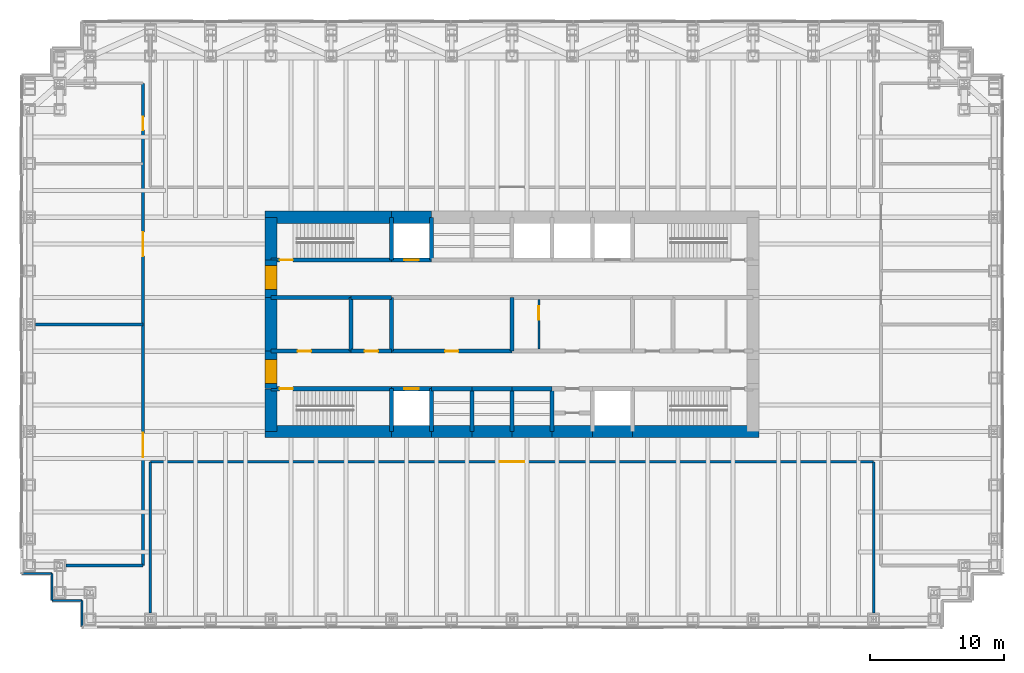
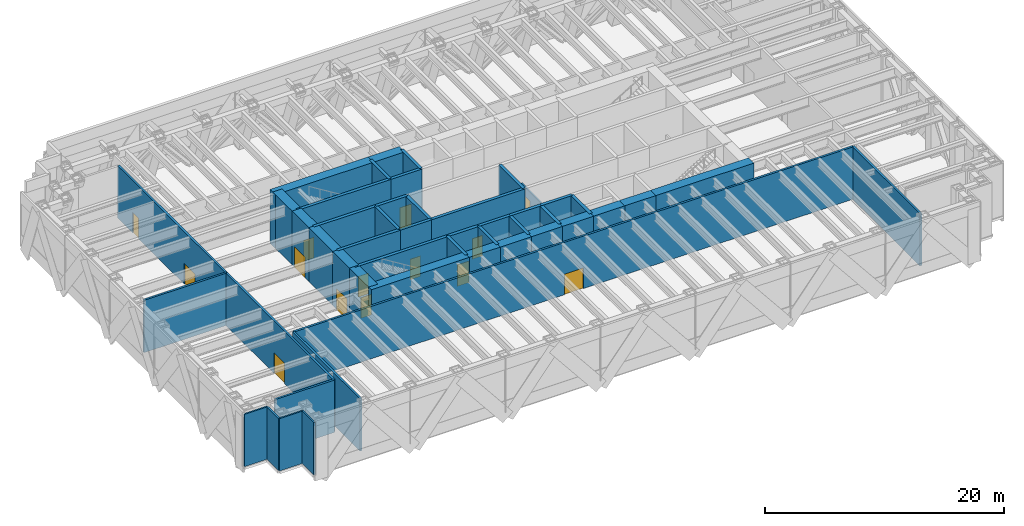
# One storey, part 13 of 16: 48 walls, 14 doors, 14 openings.
"""IFC4 building model written with IfcOpenShell, lengths in metres."""

import ifcopenshell
import ifcopenshell.guid

model = None  # the IFC model being written
_history = None  # IfcOwnerHistory: only IFC2X3 demands one
_inside = {}  # id of a spatial element -> (the spatial element, [elements in it])
_under = {}  # id of a project, library or spatial element -> (it, [spatial elements below it])
_declared = {}  # id of a project -> (the project, [libraries it declares])
_typed = {}  # id of a type object -> (the type object, [elements of that type])
_made_of = {}  # id of a material, layer set ... -> (it, [elements and type objects made of it])


def new_model(schema):
    """Start an empty IFC model of exactly this schema.

    Asked for "IFC4X3", IfcOpenShell would pick the latest addendum, in which some entities
    have other attributes; the version numbers below select the first issue.
    IFC2X3 requires an IfcOwnerHistory on every rooted entity: one is made here for all.
    """
    global model, _history
    if schema == "IFC4X3":
        model = ifcopenshell.file(schema_version=(4, 3, 0, 0))
    else:
        model = ifcopenshell.file(schema=schema)
    _inside.clear()
    _under.clear()
    _declared.clear()
    _typed.clear()
    _made_of.clear()
    _history = None
    if model.schema == "IFC2X3":
        org = make("IfcOrganization", Name="unknown")
        user = make(
            "IfcPersonAndOrganization",
            ThePerson=make("IfcPerson", FamilyName="unknown"),
            TheOrganization=org,
        )
        app = make(
            "IfcApplication",
            ApplicationDeveloper=org,
            Version="unknown",
            ApplicationFullName="unknown",
            ApplicationIdentifier="unknown",
        )
        _history = make(
            "IfcOwnerHistory",
            OwningUser=user,
            OwningApplication=app,
            ChangeAction="ADDED",
            CreationDate=0,
        )
    return model


def make(cls, **values):
    """One entity of the class cls with the attributes given. An attribute that is None is left unset."""
    return model.create_entity(
        cls, **{name: value for name, value in values.items() if value is not None}
    )


def rooted(cls, **values):
    """An entity with a GlobalId (a new one), such as an element, a storey or a relation."""
    return make(cls, GlobalId=ifcopenshell.guid.new(), OwnerHistory=_history, **values)


def si_unit(unit_type, name, prefix=None):
    """IfcSIUnit, for example si_unit("LENGTHUNIT", "METRE", prefix="MILLI")."""
    return make("IfcSIUnit", UnitType=unit_type, Prefix=prefix, Name=name)


def assignment(units):
    """IfcUnitAssignment: the units of a project."""
    return None if units is None else make("IfcUnitAssignment", Units=units)


def point(xyz):
    """IfcCartesianPoint."""
    return None if xyz is None else make("IfcCartesianPoint", Coordinates=xyz)


def direction(xyz):
    """IfcDirection."""
    return None if xyz is None else make("IfcDirection", DirectionRatios=xyz)


def frame(location, z_axis=None, x_axis=None):
    """IfcAxis2Placement3D, a coordinate frame: its origin and axes. An axis left out is left unset."""
    return make(
        "IfcAxis2Placement3D",
        Location=point(location),
        Axis=direction(z_axis),
        RefDirection=direction(x_axis),
    )


def frame_2d(location, x_axis=None):
    """IfcAxis2Placement2D, a coordinate frame in the plane: its origin and x axis."""
    return make(
        "IfcAxis2Placement2D", Location=point(location), RefDirection=direction(x_axis)
    )


def origin():
    """The frame at (0, 0, 0) with its axes left unset."""
    return frame((0.0, 0.0, 0.0))


def place(relative_to, where):
    """IfcLocalPlacement: puts the frame where relative to a parent placement (None: the world)."""
    return make(
        "IfcLocalPlacement", PlacementRelTo=relative_to, RelativePlacement=where
    )


def context(
    kind, dimensions, precision=None, world=None, true_north=None, identifier=None
):
    """IfcGeometricRepresentationContext, for example the 3D "Model" context."""
    return make(
        "IfcGeometricRepresentationContext",
        ContextIdentifier=identifier,
        ContextType=kind,
        CoordinateSpaceDimension=dimensions,
        Precision=precision,
        WorldCoordinateSystem=world,
        TrueNorth=true_north,
    )


def subcontext(parent, identifier, kind, view, scale=None):
    """IfcGeometricRepresentationSubContext, for example "Body" below "Model"."""
    return make(
        "IfcGeometricRepresentationSubContext",
        ContextIdentifier=identifier,
        ContextType=kind,
        ParentContext=parent,
        TargetScale=scale,
        TargetView=view,
    )


def project(units=None, contexts=None):
    """IfcProject with its units and contexts."""
    return rooted(
        "IfcProject",
        Name="project",
        RepresentationContexts=contexts,
        UnitsInContext=assignment(units),
    )


def spatial(cls, under=None, at=None, **own):
    """A site, building, storey or space (cls), placed at a placement, below another one or the project."""
    s = rooted(cls, ObjectPlacement=at, **own)
    if under is not None:
        _under.setdefault(under.id(), (under, []))[1].append(s)
    return s


def profile(cls, at=None, kind="AREA", **sizes):
    """A parametric profile (cls). Its sizes go by their IFC names, for example OverallWidth=200.0."""
    return make(cls, ProfileType=kind, Position=at, **sizes)


def rectangle(**sizes):
    """IfcRectangleProfileDef."""
    return profile("IfcRectangleProfileDef", **sizes)


def extrude(swept, where, along, depth):
    """IfcExtrudedAreaSolid: the profile swept, set in the frame where, extruded along a direction by depth."""
    return make(
        "IfcExtrudedAreaSolid",
        SweptArea=swept,
        Position=where,
        ExtrudedDirection=direction(along),
        Depth=depth,
    )


def shape(context_of_items, identifier, shape_type, items):
    """IfcShapeRepresentation: the items that make up one representation, for example the "Body"."""
    return make(
        "IfcShapeRepresentation",
        ContextOfItems=context_of_items,
        RepresentationIdentifier=identifier,
        RepresentationType=shape_type,
        Items=items,
    )


def material(Name=None, Category=None):
    """IfcMaterial."""
    return make("IfcMaterial", Name=Name, Category=Category)


def layer(
    of_material, thickness, ventilated=None, Name=None, Category=None, Priority=None
):
    """IfcMaterialLayer: one layer of a wall or slab, of a material (None: an air gap)."""
    return make(
        "IfcMaterialLayer",
        Material=of_material,
        LayerThickness=thickness,
        IsVentilated=ventilated,
        Name=Name,
        Category=Category,
        Priority=Priority,
    )


def layer_set(layers, Name=None):
    """IfcMaterialLayerSet."""
    return make("IfcMaterialLayerSet", MaterialLayers=layers, LayerSetName=Name)


def made_of(thing, what):
    """Note that an element or type object is made of a material, layer set ...; save() writes the relation."""
    if what is not None:
        _made_of.setdefault(what.id(), (what, []))[1].append(thing)
    return thing


def type_object(cls, material=None, **own):
    """A type object (cls), such as IfcWallType, which elements share."""
    return made_of(rooted(cls, **own), material)


def element(
    cls,
    number,
    at=None,
    inside=None,
    cuts=None,
    type_object=None,
    material=None,
    context=None,
    identifier="Body",
    shape_type=None,
    held_by="IfcProductDefinitionShape",
    body=None,
    shapes=None,
    **own,
):
    """One element of the class cls, such as IfcWall. Its Tag is "e" and its number.

    at: its placement. inside: the storey or other place that contains it. cuts: it is an
    opening in that element (IfcRelVoidsElement). A single representation is given by context,
    identifier, shape_type and body (its items); several are given by shapes. held_by: the class
    of the entity that holds the representations. save() writes the other relations.
    """
    e = rooted(cls, Tag="e%d" % number, ObjectPlacement=at, **own)
    if body is not None:
        shapes = [shape(context, identifier, shape_type, body)]
    if shapes is not None:
        e.Representation = make(held_by, Representations=shapes)
    if inside is not None:
        _inside.setdefault(inside.id(), (inside, []))[1].append(e)
    if cuts is not None:
        rooted(
            "IfcRelVoidsElement", RelatingBuildingElement=cuts, RelatedOpeningElement=e
        )
    if type_object is not None:
        _typed.setdefault(type_object.id(), (type_object, []))[1].append(e)
    return made_of(e, material)


def fill(opening, filler):
    """IfcRelFillsElement: the door or window that sits in an opening."""
    return rooted(
        "IfcRelFillsElement",
        RelatingOpeningElement=opening,
        RelatedBuildingElement=filler,
    )


def aggregate(whole, parts):
    """IfcRelAggregates: a whole, such as a stair, and the parts it consists of."""
    return rooted("IfcRelAggregates", RelatingObject=whole, RelatedObjects=parts)


def save(model, path):
    """Write the relations noted so far, then the file.

    IfcRelAggregates (storeys below a building ...), IfcRelContainedInSpatialStructure (elements
    in a storey), IfcRelDefinesByType, IfcRelAssociatesMaterial and IfcRelDeclares: one each for
    every whole, place, type object, material and project.
    """
    for whole, parts in _under.values():
        aggregate(whole, parts)
    for where, things in _inside.values():
        rooted(
            "IfcRelContainedInSpatialStructure",
            RelatedElements=things,
            RelatingStructure=where,
        )
    for kind, things in _typed.values():
        rooted("IfcRelDefinesByType", RelatedObjects=things, RelatingType=kind)
    for what, things in _made_of.values():
        rooted("IfcRelAssociatesMaterial", RelatedObjects=things, RelatingMaterial=what)
    for by, libraries in _declared.values():
        rooted("IfcRelDeclares", RelatingContext=by, RelatedDefinitions=libraries)
    model.write(path)


model = new_model("IFC4")

# Units and contexts
model_context = context("Model", 3, precision=1e-05, world=origin(), true_north=direction((0.0, 1.0)))
body_context = subcontext(model_context, "Body", "Model", "MODEL_VIEW")
ifc_project = project(units=[si_unit("LENGTHUNIT", "METRE"), si_unit("AREAUNIT", "SQUARE_METRE"), si_unit("VOLUMEUNIT", "CUBIC_METRE"), si_unit("PLANEANGLEUNIT", "RADIAN"), si_unit("MASSUNIT", "GRAM", prefix="KILO")], contexts=[model_context])

# Site, building, storey
site_placement = place(None, origin())
site = spatial("IfcSite", under=ifc_project, at=site_placement, CompositionType="ELEMENT")
building_placement = place(site_placement, origin())
building = spatial("IfcBuilding", under=site, at=building_placement, Name="Rheinbord Bourse Tower", CompositionType="ELEMENT")
storey_placement = place(building_placement, frame((0.0, 0.0, 180.300048828125)))
storey = spatial("IfcBuildingStorey", under=building, at=storey_placement, Name="L40", CompositionType="ELEMENT", Elevation=180.300048828125)

# Wall, opening, door
ifc_material_1 = material(Name="Concrete C50/60", Category="concrete")
ifc_layer_1 = layer(ifc_material_1, 0.300048828125)
ifc_layer_set_1 = layer_set([ifc_layer_1], Name="CORE INNER WALL 300")
wall_type_1 = type_object("IfcWallType", Name="CORE INNER WALL 300", PredefinedType="SOLIDWALL", material=ifc_layer_set_1)
wall_1_placement = place(storey_placement, frame((18.0, 19.199951171875, 0.0), z_axis=(0.0, 0.0, 1.0), x_axis=(1.0, 0.0, 0.0)))
wall_1 = element("IfcWall", 1, at=wall_1_placement, inside=storey, type_object=wall_type_1, Name="Core wall A1 L40", PredefinedType="SOLIDWALL", context=body_context, shape_type="SweptSolid", body=[
    extrude(rectangle(XDim=9.0, YDim=0.300048828125, at=frame_2d((4.5, 0.0))), origin(), (0.0, 0.0, 1.0), 5.5),
])
opening_1_placement = place(wall_1_placement, frame((0.64990234375, 0.0, 0.0)))
opening_1 = element("IfcOpeningElement", 2, at=opening_1_placement, cuts=wall_1, Name="Opening 4010", PredefinedType="OPENING", context=body_context, shape_type="SweptSolid", body=[
    extrude(rectangle(XDim=1.0, YDim=2.10009765625, at=frame_2d((0.5, 1.050048828125))), frame((0.0, 0.159912109375, 0.0), z_axis=(0.0, -1.0, 0.0), x_axis=(1.0, 0.0, 0.0)), (0.0, 0.0, 1.0), 0.320068359375),
])
ifc_material_2 = material(Name="Steel door", Category="steel")
door_type_1 = type_object("IfcDoorType", Name="DOOR 1000 EI30", OperationType="SINGLE_SWING_LEFT", PredefinedType="DOOR", material=ifc_material_2)
door_1_placement = place(opening_1_placement, origin())
door_1 = element("IfcDoor", 3, at=door_1_placement, inside=storey, type_object=door_type_1, Name="Stair door ST1 L40", OperationType="SINGLE_SWING_LEFT", OverallHeight=2.10009765625, OverallWidth=1.0, PredefinedType="DOOR", context=body_context, shape_type="SweptSolid", body=[
    extrude(rectangle(XDim=1.0, YDim=2.10009765625, at=frame_2d((0.5, 1.050048828125))), frame((0.0, 0.02490234375, 0.0), z_axis=(0.0, -1.0, 0.0), x_axis=(1.0, 0.0, 0.0)), (0.0, 0.0, 1.0), 0.050048828125),
])
fill(opening_1, door_1)

wall_2_placement = place(storey_placement, frame((27.0, 19.199951171875, 0.0), z_axis=(0.0, 0.0, 1.0), x_axis=(1.0, 0.0, 0.0)))
wall_2 = element("IfcWall", 4, at=wall_2_placement, inside=storey, type_object=wall_type_1, Name="Core wall A2 L40", PredefinedType="SOLIDWALL", context=body_context, shape_type="SweptSolid", body=[
    extrude(rectangle(XDim=3.0, YDim=0.300048828125, at=frame_2d((1.5, 0.0))), origin(), (0.0, 0.0, 1.0), 5.5),
])
opening_2_placement = place(wall_2_placement, frame((0.949951171875, 0.0, 0.0)))
opening_2 = element("IfcOpeningElement", 5, at=opening_2_placement, cuts=wall_2, Name="Opening FL1", PredefinedType="OPENING", context=body_context, shape_type="SweptSolid", body=[
    extrude(rectangle(XDim=1.10009765625, YDim=2.199951171875, at=frame_2d((0.550048828125, 1.10009765625))), frame((0.0, 0.159912109375, 0.0), z_axis=(0.0, -1.0, 0.0), x_axis=(1.0, 0.0, 0.0)), (0.0, 0.0, 1.0), 0.320068359375),
])
ifc_material_3 = material(Name="Steel landing door", Category="steel")
door_type_2 = type_object("IfcDoorType", Name="LIFT LANDING DOOR 1100", OperationType="DOUBLE_DOOR_SLIDING", PredefinedType="USERDEFINED", material=ifc_material_3)
door_2_placement = place(opening_2_placement, origin())
door_2 = element("IfcDoor", 6, at=door_2_placement, inside=storey, type_object=door_type_2, Name="Lift landing door FL1 L40", ObjectType="LIFT LANDING DOOR", OperationType="DOUBLE_DOOR_SLIDING", OverallHeight=2.199951171875, OverallWidth=1.10009765625, PredefinedType="USERDEFINED", context=body_context, shape_type="SweptSolid", body=[
    extrude(rectangle(XDim=1.10009765625, YDim=2.199951171875, at=frame_2d((0.550048828125, 1.10009765625))), frame((0.0, 0.02490234375, 0.0), z_axis=(0.0, -1.0, 0.0), x_axis=(1.0, 0.0, 0.0)), (0.0, 0.0, 1.0), 0.050048828125),
])
fill(opening_2, door_2)

# Walls
for number, where, z_axis, x_axis, name in (
    (7, (30.0, 19.199951171875, 0.0), (0.0, 0.0, 1.0), (1.0, 0.0, 0.0), "Core wall A3 L40"),
    (8, (33.0, 19.199951171875, 0.0), (0.0, 0.0, 1.0), (1.0, 0.0, 0.0), "Core wall A4 L40"),
    (9, (36.0, 19.199951171875, 0.0), (0.0, 0.0, 1.0), (1.0, 0.0, 0.0), "Core wall A5 L40"),
):
    element("IfcWall", number, at=place(storey_placement, frame(where, z_axis=z_axis, x_axis=x_axis)), inside=storey, type_object=wall_type_1, Name=name, PredefinedType="SOLIDWALL", context=body_context, shape_type="SweptSolid", body=[
        extrude(rectangle(XDim=3.0, YDim=0.300048828125, at=frame_2d((1.5, 0.0))), origin(), (0.0, 0.0, 1.0), 5.5),
    ])

# Wall, opening, door
wall_3_placement = place(storey_placement, frame((18.0, 28.800048828125, 0.0), z_axis=(0.0, 0.0, 1.0), x_axis=(1.0, 0.0, 0.0)))
wall_3 = element("IfcWall", 10, at=wall_3_placement, inside=storey, type_object=wall_type_1, Name="Core wall B1 L40", PredefinedType="SOLIDWALL", context=body_context, shape_type="SweptSolid", body=[
    extrude(rectangle(XDim=9.0, YDim=0.300048828125, at=frame_2d((4.5, 0.0))), origin(), (0.0, 0.0, 1.0), 5.5),
])
opening_3_placement = place(wall_3_placement, frame((0.64990234375, 0.0, 0.0)))
opening_3 = element("IfcOpeningElement", 11, at=opening_3_placement, cuts=wall_3, Name="Opening 4020", PredefinedType="OPENING", context=body_context, shape_type="SweptSolid", body=[
    extrude(rectangle(XDim=1.0, YDim=2.10009765625, at=frame_2d((0.5, 1.050048828125))), frame((0.0, 0.159912109375, 0.0), z_axis=(0.0, -1.0, 0.0), x_axis=(1.0, 0.0, 0.0)), (0.0, 0.0, 1.0), 0.320068359375),
])
door_3_placement = place(opening_3_placement, origin())
door_3 = element("IfcDoor", 12, at=door_3_placement, inside=storey, type_object=door_type_1, Name="Stair door ST2 L40", OperationType="SINGLE_SWING_LEFT", OverallHeight=2.10009765625, OverallWidth=1.0, PredefinedType="DOOR", context=body_context, shape_type="SweptSolid", body=[
    extrude(rectangle(XDim=1.0, YDim=2.10009765625, at=frame_2d((0.5, 1.050048828125))), frame((0.0, 0.02490234375, 0.0), z_axis=(0.0, -1.0, 0.0), x_axis=(1.0, 0.0, 0.0)), (0.0, 0.0, 1.0), 0.050048828125),
])
fill(opening_3, door_3)

wall_4_placement = place(storey_placement, frame((27.0, 28.800048828125, 0.0), z_axis=(0.0, 0.0, 1.0), x_axis=(1.0, 0.0, 0.0)))
wall_4 = element("IfcWall", 13, at=wall_4_placement, inside=storey, type_object=wall_type_1, Name="Core wall B2 L40", PredefinedType="SOLIDWALL", context=body_context, shape_type="SweptSolid", body=[
    extrude(rectangle(XDim=3.0, YDim=0.300048828125, at=frame_2d((1.5, 0.0))), origin(), (0.0, 0.0, 1.0), 5.5),
])
opening_4_placement = place(wall_4_placement, frame((0.949951171875, 0.0, 0.0)))
opening_4 = element("IfcOpeningElement", 14, at=opening_4_placement, cuts=wall_4, Name="Opening GL1", PredefinedType="OPENING", context=body_context, shape_type="SweptSolid", body=[
    extrude(rectangle(XDim=1.10009765625, YDim=2.199951171875, at=frame_2d((0.550048828125, 1.10009765625))), frame((0.0, 0.159912109375, 0.0), z_axis=(0.0, -1.0, 0.0), x_axis=(1.0, 0.0, 0.0)), (0.0, 0.0, 1.0), 0.320068359375),
])
door_4_placement = place(opening_4_placement, origin())
door_4 = element("IfcDoor", 15, at=door_4_placement, inside=storey, type_object=door_type_2, Name="Lift landing door GL1 L40", ObjectType="LIFT LANDING DOOR", OperationType="DOUBLE_DOOR_SLIDING", OverallHeight=2.199951171875, OverallWidth=1.10009765625, PredefinedType="USERDEFINED", context=body_context, shape_type="SweptSolid", body=[
    extrude(rectangle(XDim=1.10009765625, YDim=2.199951171875, at=frame_2d((0.550048828125, 1.10009765625))), frame((0.0, 0.02490234375, 0.0), z_axis=(0.0, -1.0, 0.0), x_axis=(1.0, 0.0, 0.0)), (0.0, 0.0, 1.0), 0.050048828125),
])
fill(opening_4, door_4)

wall_5_placement = place(storey_placement, frame((18.0, 22.0, 0.0), z_axis=(0.0, 0.0, 1.0), x_axis=(1.0, 0.0, 0.0)))
wall_5 = element("IfcWall", 16, at=wall_5_placement, inside=storey, type_object=wall_type_1, Name="Core wall C1 L40", PredefinedType="SOLIDWALL", context=body_context, shape_type="SweptSolid", body=[
    extrude(rectangle(XDim=6.0, YDim=0.300048828125, at=frame_2d((3.0, 0.0))), origin(), (0.0, 0.0, 1.0), 5.5),
])
opening_5_placement = place(wall_5_placement, frame((2.0, 0.0, 0.0)))
opening_5 = element("IfcOpeningElement", 17, at=opening_5_placement, cuts=wall_5, Name="Opening 40R1", PredefinedType="OPENING", context=body_context, shape_type="SweptSolid", body=[
    extrude(rectangle(XDim=1.0, YDim=2.10009765625, at=frame_2d((0.5, 1.050048828125))), frame((0.0, 0.159912109375, 0.0), z_axis=(0.0, -1.0, 0.0), x_axis=(1.0, 0.0, 0.0)), (0.0, 0.0, 1.0), 0.320068359375),
])
ifc_material_4 = material(Name="Timber door", Category="wood")
door_type_3 = type_object("IfcDoorType", Name="DOOR 1000 WC", OperationType="SINGLE_SWING_LEFT", PredefinedType="DOOR", material=ifc_material_4)
door_5_placement = place(opening_5_placement, origin())
door_5 = element("IfcDoor", 18, at=door_5_placement, inside=storey, type_object=door_type_3, Name="WC men door L40", OperationType="SINGLE_SWING_LEFT", OverallHeight=2.10009765625, OverallWidth=1.0, PredefinedType="DOOR", context=body_context, shape_type="SweptSolid", body=[
    extrude(rectangle(XDim=1.0, YDim=2.10009765625, at=frame_2d((0.5, 1.050048828125))), frame((0.0, 0.02490234375, 0.0), z_axis=(0.0, -1.0, 0.0), x_axis=(1.0, 0.0, 0.0)), (0.0, 0.0, 1.0), 0.050048828125),
])
fill(opening_5, door_5)

wall_6_placement = place(storey_placement, frame((24.0, 22.0, 0.0), z_axis=(0.0, 0.0, 1.0), x_axis=(1.0, 0.0, 0.0)))
wall_6 = element("IfcWall", 19, at=wall_6_placement, inside=storey, type_object=wall_type_1, Name="Core wall C2 L40", PredefinedType="SOLIDWALL", context=body_context, shape_type="SweptSolid", body=[
    extrude(rectangle(XDim=3.0, YDim=0.300048828125, at=frame_2d((1.5, 0.0))), origin(), (0.0, 0.0, 1.0), 5.5),
])
opening_6_placement = place(wall_6_placement, frame((1.0, 0.0, 0.0)))
opening_6 = element("IfcOpeningElement", 20, at=opening_6_placement, cuts=wall_6, Name="Opening 40R2", PredefinedType="OPENING", context=body_context, shape_type="SweptSolid", body=[
    extrude(rectangle(XDim=1.0, YDim=2.10009765625, at=frame_2d((0.5, 1.050048828125))), frame((0.0, 0.159912109375, 0.0), z_axis=(0.0, -1.0, 0.0), x_axis=(1.0, 0.0, 0.0)), (0.0, 0.0, 1.0), 0.320068359375),
])
door_6_placement = place(opening_6_placement, origin())
door_6 = element("IfcDoor", 21, at=door_6_placement, inside=storey, type_object=door_type_3, Name="Accessible WC door L40", OperationType="SINGLE_SWING_LEFT", OverallHeight=2.10009765625, OverallWidth=1.0, PredefinedType="DOOR", context=body_context, shape_type="SweptSolid", body=[
    extrude(rectangle(XDim=1.0, YDim=2.10009765625, at=frame_2d((0.5, 1.050048828125))), frame((0.0, 0.02490234375, 0.0), z_axis=(0.0, -1.0, 0.0), x_axis=(1.0, 0.0, 0.0)), (0.0, 0.0, 1.0), 0.050048828125),
])
fill(opening_6, door_6)

wall_7_placement = place(storey_placement, frame((27.0, 22.0, 0.0), z_axis=(0.0, 0.0, 1.0), x_axis=(1.0, 0.0, 0.0)))
wall_7 = element("IfcWall", 22, at=wall_7_placement, inside=storey, type_object=wall_type_1, Name="Core wall C3 L40", PredefinedType="SOLIDWALL", context=body_context, shape_type="SweptSolid", body=[
    extrude(rectangle(XDim=9.0, YDim=0.300048828125, at=frame_2d((4.5, 0.0))), origin(), (0.0, 0.0, 1.0), 5.5),
])
opening_7_placement = place(wall_7_placement, frame((4.0, 0.0, 0.0)))
opening_7 = element("IfcOpeningElement", 23, at=opening_7_placement, cuts=wall_7, Name="Opening 40R3", PredefinedType="OPENING", context=body_context, shape_type="SweptSolid", body=[
    extrude(rectangle(XDim=1.0, YDim=2.10009765625, at=frame_2d((0.5, 1.050048828125))), frame((0.0, 0.159912109375, 0.0), z_axis=(0.0, -1.0, 0.0), x_axis=(1.0, 0.0, 0.0)), (0.0, 0.0, 1.0), 0.320068359375),
])
door_7_placement = place(opening_7_placement, origin())
door_7 = element("IfcDoor", 24, at=door_7_placement, inside=storey, type_object=door_type_1, Name="Riser door L40", OperationType="SINGLE_SWING_LEFT", OverallHeight=2.10009765625, OverallWidth=1.0, PredefinedType="DOOR", context=body_context, shape_type="SweptSolid", body=[
    extrude(rectangle(XDim=1.0, YDim=2.10009765625, at=frame_2d((0.5, 1.050048828125))), frame((0.0, 0.02490234375, 0.0), z_axis=(0.0, -1.0, 0.0), x_axis=(1.0, 0.0, 0.0)), (0.0, 0.0, 1.0), 0.050048828125),
])
fill(opening_7, door_7)

# Walls
wall_8_placement = place(storey_placement, frame((18.0, 26.0, 0.0), z_axis=(0.0, 0.0, 1.0), x_axis=(1.0, 0.0, 0.0)))
element("IfcWall", 25, at=wall_8_placement, inside=storey, type_object=wall_type_1, Name="Core wall D1 L40", PredefinedType="SOLIDWALL", context=body_context, shape_type="SweptSolid", body=[
    extrude(rectangle(XDim=6.0, YDim=0.300048828125, at=frame_2d((3.0, 0.0))), origin(), (0.0, 0.0, 1.0), 5.5),
])
wall_9_placement = place(storey_placement, frame((24.0, 26.0, 0.0), z_axis=(0.0, 0.0, 1.0), x_axis=(1.0, 0.0, 0.0)))
element("IfcWall", 26, at=wall_9_placement, inside=storey, type_object=wall_type_1, Name="Core wall D2 L40", PredefinedType="SOLIDWALL", context=body_context, shape_type="SweptSolid", body=[
    extrude(rectangle(XDim=3.0, YDim=0.300048828125, at=frame_2d((1.5, 0.0))), origin(), (0.0, 0.0, 1.0), 5.5),
])
for number, where, z_axis, x_axis, name in (
    (27, (27.0, 16.0, 0.0), (0.0, 0.0, 1.0), (0.0, 1.0, 0.0), "Core wall SX27 L40"),
    (28, (27.0, 28.800048828125, 0.0), (0.0, 0.0, 1.0), (0.0, 1.0, 0.0), "Core wall NX27 L40"),
    (29, (30.0, 16.0, 0.0), (0.0, 0.0, 1.0), (0.0, 1.0, 0.0), "Core wall SX30 L40"),
    (30, (30.0, 28.800048828125, 0.0), (0.0, 0.0, 1.0), (0.0, 1.0, 0.0), "Core wall NX30 L40"),
    (31, (33.0, 16.0, 0.0), (0.0, 0.0, 1.0), (0.0, 1.0, 0.0), "Core wall SX33 L40"),
    (32, (36.0, 16.0, 0.0), (0.0, 0.0, 1.0), (0.0, 1.0, 0.0), "Core wall SX36 L40"),
    (33, (39.0, 16.0, 0.0), (0.0, 0.0, 1.0), (0.0, 1.0, 0.0), "Core wall SX39 L40"),
):
    element("IfcWall", number, at=place(storey_placement, frame(where, z_axis=z_axis, x_axis=x_axis)), inside=storey, type_object=wall_type_1, Name=name, PredefinedType="SOLIDWALL", context=body_context, shape_type="SweptSolid", body=[
        extrude(rectangle(XDim=3.199951171875, YDim=0.300048828125, at=frame_2d((1.60009765625, 0.0))), origin(), (0.0, 0.0, 1.0), 5.5),
    ])
for number, where, z_axis, x_axis, name in (
    (34, (24.0, 22.0, 0.0), (0.0, 0.0, 1.0), (0.0, 1.0, 0.0), "Core wall MX24 L40"),
    (35, (27.0, 22.0, 0.0), (0.0, 0.0, 1.0), (0.0, 1.0, 0.0), "Core wall MX27 L40"),
    (36, (36.0, 22.0, 0.0), (0.0, 0.0, 1.0), (0.0, 1.0, 0.0), "Core wall MX36 L40"),
):
    element("IfcWall", number, at=place(storey_placement, frame(where, z_axis=z_axis, x_axis=x_axis)), inside=storey, type_object=wall_type_1, Name=name, PredefinedType="SOLIDWALL", context=body_context, shape_type="SweptSolid", body=[
        extrude(rectangle(XDim=4.0, YDim=0.300048828125, at=frame_2d((2.0, 0.0))), origin(), (0.0, 0.0, 1.0), 5.5),
    ])

# Wall, opening, door
ifc_material_5 = material(Name="Gypsum board fire partition", Category="gypsum board")
ifc_layer_2 = layer(ifc_material_5, 0.14990234375)
ifc_layer_set_2 = layer_set([ifc_layer_2], Name="CORE PARTITION 150 EI30")
wall_type_2 = type_object("IfcWallType", Name="CORE PARTITION 150 EI30", PredefinedType="PARTITIONING", material=ifc_layer_set_2)
wall_10_placement = place(storey_placement, frame((38.0, 22.14990234375, 0.0), z_axis=(0.0, 0.0, 1.0), x_axis=(0.0, 1.0, 0.0)))
wall_10 = element("IfcWall", 37, at=wall_10_placement, inside=storey, type_object=wall_type_2, Name="Core partition L40-1", PredefinedType="PARTITIONING", context=body_context, shape_type="SweptSolid", body=[
    extrude(rectangle(XDim=3.7001953125, YDim=0.14990234375, at=frame_2d((1.85009765625, 0.0))), origin(), (0.0, 0.0, 1.0), 3.0),
])
opening_8_placement = place(wall_10_placement, frame((2.199951171875, 0.0, 0.0)))
opening_8 = element("IfcOpeningElement", 38, at=opening_8_placement, cuts=wall_10, Name="Opening 40R7", PredefinedType="OPENING", context=body_context, shape_type="SweptSolid", body=[
    extrude(rectangle(XDim=1.0, YDim=2.10009765625, at=frame_2d((0.5, 1.050048828125))), frame((0.0, 0.0849609375, 0.0), z_axis=(0.0, -1.0, 0.0), x_axis=(1.0, 0.0, 0.0)), (0.0, 0.0, 1.0), 0.169921875),
])
door_8_placement = place(opening_8_placement, origin())
door_8 = element("IfcDoor", 39, at=door_8_placement, inside=storey, type_object=door_type_1, Name="Staff shower door L40", OperationType="SINGLE_SWING_RIGHT", OverallHeight=2.10009765625, OverallWidth=1.0, PredefinedType="DOOR", context=body_context, shape_type="SweptSolid", body=[
    extrude(rectangle(XDim=1.0, YDim=2.10009765625, at=frame_2d((0.5, 1.050048828125))), frame((0.0, 0.02490234375, 0.0), z_axis=(0.0, -1.0, 0.0), x_axis=(1.0, 0.0, 0.0)), (0.0, 0.0, 1.0), 0.050048828125),
])
fill(opening_8, door_8)

# Walls
ifc_material_6 = material(Name="Concrete C50/60", Category="concrete")
ifc_layer_3 = layer(ifc_material_6, 0.89990234375)
ifc_layer_set_3 = layer_set([ifc_layer_3], Name="CORE WALL 900")
wall_type_3 = type_object("IfcWallType", Name="CORE WALL 900", PredefinedType="SHEAR", material=ifc_layer_set_3)
wall_11_placement = place(storey_placement, frame((17.550048828125, 16.0, 0.0), z_axis=(0.0, 0.0, 1.0), x_axis=(1.0, 0.0, 0.0)))
element("IfcWall", 40, at=wall_11_placement, inside=storey, type_object=wall_type_3, Name="Core wall S1 L40", PredefinedType="SHEAR", context=body_context, shape_type="SweptSolid", body=[
    extrude(rectangle(XDim=9.449951171875, YDim=0.89990234375, at=frame_2d((4.72509765625, 0.0))), origin(), (0.0, 0.0, 1.0), 5.5),
])
for number, where, z_axis, x_axis, name in (
    (41, (27.0, 16.0, 0.0), (0.0, 0.0, 1.0), (1.0, 0.0, 0.0), "Core wall S2 L40"),
    (42, (30.0, 16.0, 0.0), (0.0, 0.0, 1.0), (1.0, 0.0, 0.0), "Core wall S3 L40"),
    (43, (33.0, 16.0, 0.0), (0.0, 0.0, 1.0), (1.0, 0.0, 0.0), "Core wall S4 L40"),
    (44, (36.0, 16.0, 0.0), (0.0, 0.0, 1.0), (1.0, 0.0, 0.0), "Core wall S5 L40"),
    (45, (39.0, 16.0, 0.0), (0.0, 0.0, 1.0), (1.0, 0.0, 0.0), "Core wall S6 L40"),
    (46, (42.0, 16.0, 0.0), (0.0, 0.0, 1.0), (1.0, 0.0, 0.0), "Core wall S7 L40"),
):
    element("IfcWall", number, at=place(storey_placement, frame(where, z_axis=z_axis, x_axis=x_axis)), inside=storey, type_object=wall_type_3, Name=name, PredefinedType="SHEAR", context=body_context, shape_type="SweptSolid", body=[
        extrude(rectangle(XDim=3.0, YDim=0.89990234375, at=frame_2d((1.5, 0.0))), origin(), (0.0, 0.0, 1.0), 5.5),
    ])
wall_12_placement = place(storey_placement, frame((45.0, 16.0, 0.0), z_axis=(0.0, 0.0, 1.0), x_axis=(1.0, 0.0, 0.0)))
element("IfcWall", 47, at=wall_12_placement, inside=storey, type_object=wall_type_3, Name="Core wall S8 L40", PredefinedType="SHEAR", context=body_context, shape_type="SweptSolid", body=[
    extrude(rectangle(XDim=9.449951171875, YDim=0.89990234375, at=frame_2d((4.72509765625, 0.0))), origin(), (0.0, 0.0, 1.0), 5.5),
])
wall_13_placement = place(storey_placement, frame((30.0, 32.0, 0.0), z_axis=(0.0, 0.0, 1.0), x_axis=(-1.0, 0.0, 0.0)))
element("IfcWall", 48, at=wall_13_placement, inside=storey, type_object=wall_type_3, Name="Core wall N7 L40", PredefinedType="SHEAR", context=body_context, shape_type="SweptSolid", body=[
    extrude(rectangle(XDim=3.0, YDim=0.89990234375, at=frame_2d((1.5, 0.0))), origin(), (0.0, 0.0, 1.0), 5.5),
])
wall_14_placement = place(storey_placement, frame((27.0, 32.0, 0.0), z_axis=(0.0, 0.0, 1.0), x_axis=(-1.0, 0.0, 0.0)))
element("IfcWall", 49, at=wall_14_placement, inside=storey, type_object=wall_type_3, Name="Core wall N8 L40", PredefinedType="SHEAR", context=body_context, shape_type="SweptSolid", body=[
    extrude(rectangle(XDim=9.449951171875, YDim=0.89990234375, at=frame_2d((4.72509765625, 0.0))), origin(), (0.0, 0.0, 1.0), 5.5),
])
wall_15_placement = place(storey_placement, frame((18.0, 32.0, 0.0), z_axis=(0.0, 0.0, 1.0), x_axis=(0.0, -1.0, 0.0)))
element("IfcWall", 50, at=wall_15_placement, inside=storey, type_object=wall_type_3, Name="Core wall W1 L40", PredefinedType="SHEAR", context=body_context, shape_type="SweptSolid", body=[
    extrude(rectangle(XDim=3.199951171875, YDim=0.89990234375, at=frame_2d((1.60009765625, 0.0))), origin(), (0.0, 0.0, 1.0), 5.5),
])

# Wall, opening, door
wall_16_placement = place(storey_placement, frame((18.0, 28.800048828125, 0.0), z_axis=(0.0, 0.0, 1.0), x_axis=(0.0, -1.0, 0.0)))
wall_16 = element("IfcWall", 51, at=wall_16_placement, inside=storey, type_object=wall_type_3, Name="Core wall W2 L40", PredefinedType="SHEAR", context=body_context, shape_type="SweptSolid", body=[
    extrude(rectangle(XDim=2.800048828125, YDim=0.89990234375, at=frame_2d((1.39990234375, 0.0))), origin(), (0.0, 0.0, 1.0), 5.5),
])
opening_9_placement = place(wall_16_placement, frame((0.39990234375, 0.0, 0.0)))
opening_9 = element("IfcOpeningElement", 52, at=opening_9_placement, cuts=wall_16, Name="Opening 40L2", PredefinedType="OPENING", context=body_context, shape_type="SweptSolid", body=[
    extrude(rectangle(XDim=1.800048828125, YDim=2.10009765625, at=frame_2d((0.89990234375, 1.050048828125))), frame((0.0, 0.4599609375, 0.0), z_axis=(0.0, -1.0, 0.0), x_axis=(1.0, 0.0, 0.0)), (0.0, 0.0, 1.0), 0.919921875),
])
ifc_material_7 = material(Name="Steel door", Category="steel")
door_type_4 = type_object("IfcDoorType", Name="DOOR 1800 EI30 DOUBLE", OperationType="DOUBLE_DOOR_DOUBLE_SWING", PredefinedType="DOOR", material=ifc_material_7)
door_9_placement = place(opening_9_placement, origin())
door_9 = element("IfcDoor", 53, at=door_9_placement, inside=storey, type_object=door_type_4, Name="Lobby door 2 L40", OperationType="SINGLE_SWING_LEFT", OverallHeight=2.10009765625, OverallWidth=1.800048828125, PredefinedType="DOOR", context=body_context, shape_type="SweptSolid", body=[
    extrude(rectangle(XDim=1.800048828125, YDim=2.10009765625, at=frame_2d((0.89990234375, 1.050048828125))), frame((0.0, 0.44970703125, 0.0), z_axis=(0.0, -1.0, 0.0), x_axis=(1.0, 0.0, 0.0)), (0.0, 0.0, 1.0), 0.8994140625),
])
fill(opening_9, door_9)

# Wall
wall_17_placement = place(storey_placement, frame((18.0, 26.0, 0.0), z_axis=(0.0, 0.0, 1.0), x_axis=(0.0, -1.0, 0.0)))
element("IfcWall", 54, at=wall_17_placement, inside=storey, type_object=wall_type_3, Name="Core wall W3 L40", PredefinedType="SHEAR", context=body_context, shape_type="SweptSolid", body=[
    extrude(rectangle(XDim=4.0, YDim=0.89990234375, at=frame_2d((2.0, 0.0))), origin(), (0.0, 0.0, 1.0), 5.5),
])

# Wall, opening, door
wall_18_placement = place(storey_placement, frame((18.0, 22.0, 0.0), z_axis=(0.0, 0.0, 1.0), x_axis=(0.0, -1.0, 0.0)))
wall_18 = element("IfcWall", 55, at=wall_18_placement, inside=storey, type_object=wall_type_3, Name="Core wall W4 L40", PredefinedType="SHEAR", context=body_context, shape_type="SweptSolid", body=[
    extrude(rectangle(XDim=2.800048828125, YDim=0.89990234375, at=frame_2d((1.39990234375, 0.0))), origin(), (0.0, 0.0, 1.0), 5.5),
])
opening_10_placement = place(wall_18_placement, frame((0.60009765625, 0.0, 0.0)))
opening_10 = element("IfcOpeningElement", 56, at=opening_10_placement, cuts=wall_18, Name="Opening 40L1", PredefinedType="OPENING", context=body_context, shape_type="SweptSolid", body=[
    extrude(rectangle(XDim=1.800048828125, YDim=2.10009765625, at=frame_2d((0.89990234375, 1.050048828125))), frame((0.0, 0.4599609375, 0.0), z_axis=(0.0, -1.0, 0.0), x_axis=(1.0, 0.0, 0.0)), (0.0, 0.0, 1.0), 0.919921875),
])
door_10_placement = place(opening_10_placement, origin())
door_10 = element("IfcDoor", 57, at=door_10_placement, inside=storey, type_object=door_type_4, Name="Lobby door 1 L40", OperationType="SINGLE_SWING_LEFT", OverallHeight=2.10009765625, OverallWidth=1.800048828125, PredefinedType="DOOR", context=body_context, shape_type="SweptSolid", body=[
    extrude(rectangle(XDim=1.800048828125, YDim=2.10009765625, at=frame_2d((0.89990234375, 1.050048828125))), frame((0.0, 0.44970703125, 0.0), z_axis=(0.0, -1.0, 0.0), x_axis=(1.0, 0.0, 0.0)), (0.0, 0.0, 1.0), 0.8994140625),
])
fill(opening_10, door_10)

# Walls
wall_19_placement = place(storey_placement, frame((18.0, 19.199951171875, 0.0), z_axis=(0.0, 0.0, 1.0), x_axis=(0.0, -1.0, 0.0)))
element("IfcWall", 58, at=wall_19_placement, inside=storey, type_object=wall_type_3, Name="Core wall W5 L40", PredefinedType="SHEAR", context=body_context, shape_type="SweptSolid", body=[
    extrude(rectangle(XDim=3.199951171875, YDim=0.89990234375, at=frame_2d((1.60009765625, 0.0))), origin(), (0.0, 0.0, 1.0), 5.5),
])
ifc_material_8 = material(Name="Black metal rainscreen panel", Category="aluminium")
ifc_layer_4 = layer(ifc_material_8, 0.14990234375)
ifc_layer_set_4 = layer_set([ifc_layer_4], Name="CORNER PIER CLADDING 150")
wall_type_4 = type_object("IfcWallType", Name="CORNER PIER CLADDING 150", PredefinedType="ELEMENTEDWALL", material=ifc_layer_set_4)
wall_20_placement = place(storey_placement, frame((-0.60009765625, 5.39990234375, 0.0), z_axis=(0.0, 0.0, 1.0), x_axis=(1.0, 0.0, 0.0)))
element("IfcWall", 59, at=wall_20_placement, inside=storey, type_object=wall_type_4, Name="Corner pier cladding L40 17", PredefinedType="ELEMENTEDWALL", context=body_context, shape_type="SweptSolid", body=[
    extrude(rectangle(XDim=2.25, YDim=0.14990234375, at=frame_2d((1.125, 0.0))), origin(), (0.0, 0.0, 1.0), 5.33984375),
])
wall_21_placement = place(storey_placement, frame((1.64990234375, 5.39990234375, 0.0), z_axis=(0.0, 0.0, 1.0), x_axis=(0.0, -1.0, 0.0)))
element("IfcWall", 60, at=wall_21_placement, inside=storey, type_object=wall_type_4, Name="Corner pier cladding L40 18", PredefinedType="ELEMENTEDWALL", context=body_context, shape_type="SweptSolid", body=[
    extrude(rectangle(XDim=2.0, YDim=0.14990234375, at=frame_2d((1.0, 0.0))), origin(), (0.0, 0.0, 1.0), 5.33984375),
])
wall_22_placement = place(storey_placement, frame((1.64990234375, 3.39990234375, 0.0), z_axis=(0.0, 0.0, 1.0), x_axis=(1.0, 0.0, 0.0)))
element("IfcWall", 61, at=wall_22_placement, inside=storey, type_object=wall_type_4, Name="Corner pier cladding L40 19", PredefinedType="ELEMENTEDWALL", context=body_context, shape_type="SweptSolid", body=[
    extrude(rectangle(XDim=2.25, YDim=0.14990234375, at=frame_2d((1.125, 0.0))), origin(), (0.0, 0.0, 1.0), 5.33984375),
])
wall_23_placement = place(storey_placement, frame((3.89990234375, 3.39990234375, 0.0), z_axis=(0.0, 0.0, 1.0), x_axis=(0.0, -1.0, 0.0)))
element("IfcWall", 62, at=wall_23_placement, inside=storey, type_object=wall_type_4, Name="Corner pier cladding L40 20", PredefinedType="ELEMENTEDWALL", context=body_context, shape_type="SweptSolid", body=[
    extrude(rectangle(XDim=2.0, YDim=0.14990234375, at=frame_2d((1.0, 0.0))), origin(), (0.0, 0.0, 1.0), 5.33984375),
])
ifc_material_9 = material(Name="Concrete block plant room wall", Category="concrete")
ifc_layer_5 = layer(ifc_material_9, 0.199951171875)
ifc_layer_set_5 = layer_set([ifc_layer_5], Name="PLANT ROOM PARTITION 200 EI90")
wall_type_5 = type_object("IfcWallType", Name="PLANT ROOM PARTITION 200 EI90", PredefinedType="PARTITIONING", material=ifc_layer_set_5)
wall_24_placement = place(storey_placement, frame((2.699951171875, 6.0, 0.0), z_axis=(0.0, 0.0, 1.0), x_axis=(1.0, 0.0, 0.0)))
element("IfcWall", 63, at=wall_24_placement, inside=storey, type_object=wall_type_5, Name="Partition L40-01", PredefinedType="PARTITIONING", context=body_context, shape_type="SweptSolid", body=[
    extrude(rectangle(XDim=5.75, YDim=0.199951171875, at=frame_2d((2.875, 0.0))), origin(), (0.0, 0.0, 1.0), 5.33984375),
])

# Wall, opening, door
wall_25_placement = place(storey_placement, frame((9.0, 13.75, 0.0), z_axis=(0.0, 0.0, 1.0), x_axis=(1.0, 0.0, 0.0)))
wall_25 = element("IfcWall", 64, at=wall_25_placement, inside=storey, type_object=wall_type_5, Name="Partition L40-03", PredefinedType="PARTITIONING", context=body_context, shape_type="SweptSolid", body=[
    extrude(rectangle(XDim=54.0, YDim=0.199951171875, at=frame_2d((27.0, 0.0))), origin(), (0.0, 0.0, 1.0), 5.33984375),
])
opening_11_placement = place(wall_25_placement, frame((26.10009765625, 0.0, 0.0)))
opening_11 = element("IfcOpeningElement", 65, at=opening_11_placement, cuts=wall_25, Name="Opening 40P01", PredefinedType="OPENING", context=body_context, shape_type="SweptSolid", body=[
    extrude(rectangle(XDim=1.800048828125, YDim=2.10009765625, at=frame_2d((0.89990234375, 1.050048828125))), frame((0.0, 0.10986328125, 0.0), z_axis=(0.0, -1.0, 0.0), x_axis=(1.0, 0.0, 0.0)), (0.0, 0.0, 1.0), 0.219970703125),
])
ifc_material_10 = material(Name="Steel fire door", Category="steel")
door_type_5 = type_object("IfcDoorType", Name="PLANT ROOM DOUBLE DOOR 1800 EI60", OperationType="DOUBLE_DOOR_DOUBLE_SWING", PredefinedType="DOOR", material=ifc_material_10)
door_11_placement = place(opening_11_placement, origin())
door_11 = element("IfcDoor", 66, at=door_11_placement, inside=storey, type_object=door_type_5, Name="Refuge area door L40", OperationType="SINGLE_SWING_LEFT", OverallHeight=2.10009765625, OverallWidth=1.800048828125, PredefinedType="DOOR", context=body_context, shape_type="SweptSolid", body=[
    extrude(rectangle(XDim=1.800048828125, YDim=2.10009765625, at=frame_2d((0.89990234375, 1.050048828125))), frame((0.0, 0.02490234375, 0.0), z_axis=(0.0, -1.0, 0.0), x_axis=(1.0, 0.0, 0.0)), (0.0, 0.0, 1.0), 0.050048828125),
])
fill(opening_11, door_11)

# Wall
wall_26_placement = place(storey_placement, frame((0.449951171875, 24.0, 0.0), z_axis=(0.0, 0.0, 1.0), x_axis=(1.0, 0.0, 0.0)))
element("IfcWall", 67, at=wall_26_placement, inside=storey, type_object=wall_type_5, Name="Partition L40-04", PredefinedType="PARTITIONING", context=body_context, shape_type="SweptSolid", body=[
    extrude(rectangle(XDim=8.0, YDim=0.199951171875, at=frame_2d((4.0, 0.0))), origin(), (0.0, 0.0, 1.0), 5.33984375),
])

# Wall, openings, doors
wall_27_placement = place(storey_placement, frame((8.449951171875, 6.0, 0.0), z_axis=(0.0, 0.0, 1.0), x_axis=(0.0, 1.0, 0.0)))
wall_27 = element("IfcWall", 68, at=wall_27_placement, inside=storey, type_object=wall_type_5, Name="Partition L40-12", PredefinedType="PARTITIONING", context=body_context, shape_type="SweptSolid", body=[
    extrude(rectangle(XDim=36.0, YDim=0.199951171875, at=frame_2d((18.0, 0.0))), origin(), (0.0, 0.0, 1.0), 5.33984375),
])
opening_12_placement = place(wall_27_placement, frame((8.10009765625, 0.0, 0.0)))
opening_12 = element("IfcOpeningElement", 69, at=opening_12_placement, cuts=wall_27, Name="Opening 40P03", PredefinedType="OPENING", context=body_context, shape_type="SweptSolid", body=[
    extrude(rectangle(XDim=1.800048828125, YDim=2.10009765625, at=frame_2d((0.89990234375, 1.050048828125))), frame((0.0, 0.10986328125, 0.0), z_axis=(0.0, -1.0, 0.0), x_axis=(1.0, 0.0, 0.0)), (0.0, 0.0, 1.0), 0.219970703125),
])
opening_13_placement = place(wall_27_placement, frame((23.10009765625, 0.0, 0.0)))
opening_13 = element("IfcOpeningElement", 70, at=opening_13_placement, cuts=wall_27, Name="Opening 40P05", PredefinedType="OPENING", context=body_context, shape_type="SweptSolid", body=[
    extrude(rectangle(XDim=1.800048828125, YDim=2.10009765625, at=frame_2d((0.89990234375, 1.050048828125))), frame((0.0, 0.10986328125, 0.0), z_axis=(0.0, -1.0, 0.0), x_axis=(1.0, 0.0, 0.0)), (0.0, 0.0, 1.0), 0.219970703125),
])
opening_14_placement = place(wall_27_placement, frame((32.5, 0.0, 0.0)))
opening_14 = element("IfcOpeningElement", 71, at=opening_14_placement, cuts=wall_27, Name="Opening 40P07", PredefinedType="OPENING", context=body_context, shape_type="SweptSolid", body=[
    extrude(rectangle(XDim=1.0, YDim=2.10009765625, at=frame_2d((0.5, 1.050048828125))), frame((0.0, 0.10986328125, 0.0), z_axis=(0.0, -1.0, 0.0), x_axis=(1.0, 0.0, 0.0)), (0.0, 0.0, 1.0), 0.219970703125),
])
ifc_material_11 = material(Name="Steel fire door", Category="steel")
door_type_6 = type_object("IfcDoorType", Name="PLANT ROOM DOOR 1000 EI60", OperationType="SINGLE_SWING_LEFT", PredefinedType="DOOR", material=ifc_material_11)
door_12_placement = place(opening_14_placement, origin())
door_12 = element("IfcDoor", 72, at=door_12_placement, inside=storey, type_object=door_type_6, Name="Sprinkler booster pump room door L40", OperationType="SINGLE_SWING_RIGHT", OverallHeight=2.10009765625, OverallWidth=1.0, PredefinedType="DOOR", context=body_context, shape_type="SweptSolid", body=[
    extrude(rectangle(XDim=1.0, YDim=2.10009765625, at=frame_2d((0.5, 1.050048828125))), frame((0.0, 0.02490234375, 0.0), z_axis=(0.0, -1.0, 0.0), x_axis=(1.0, 0.0, 0.0)), (0.0, 0.0, 1.0), 0.050048828125),
])
fill(opening_14, door_12)
door_13_placement = place(opening_12_placement, origin())
door_13 = element("IfcDoor", 73, at=door_13_placement, inside=storey, type_object=door_type_5, Name="Air handling plant room door L40", OperationType="SINGLE_SWING_LEFT", OverallHeight=2.10009765625, OverallWidth=1.800048828125, PredefinedType="DOOR", context=body_context, shape_type="SweptSolid", body=[
    extrude(rectangle(XDim=1.800048828125, YDim=2.10009765625, at=frame_2d((0.89990234375, 1.050048828125))), frame((0.0, 0.02490234375, 0.0), z_axis=(0.0, -1.0, 0.0), x_axis=(1.0, 0.0, 0.0)), (0.0, 0.0, 1.0), 0.050048828125),
])
fill(opening_12, door_13)
door_14_placement = place(opening_13_placement, origin())
door_14 = element("IfcDoor", 74, at=door_14_placement, inside=storey, type_object=door_type_5, Name="Booster pump room door L40", OperationType="SINGLE_SWING_LEFT", OverallHeight=2.10009765625, OverallWidth=1.800048828125, PredefinedType="DOOR", context=body_context, shape_type="SweptSolid", body=[
    extrude(rectangle(XDim=1.800048828125, YDim=2.10009765625, at=frame_2d((0.89990234375, 1.050048828125))), frame((0.0, 0.02490234375, 0.0), z_axis=(0.0, -1.0, 0.0), x_axis=(1.0, 0.0, 0.0)), (0.0, 0.0, 1.0), 0.050048828125),
])
fill(opening_13, door_14)

# Walls
for number, where, z_axis, x_axis, name in (
    (75, (9.0, 2.449951171875, 0.0), (0.0, 0.0, 1.0), (0.0, 1.0, 0.0), "Partition L40-13"),
    (76, (63.0, 2.449951171875, 0.0), (0.0, 0.0, 1.0), (0.0, 1.0, 0.0), "Partition L40-15"),
):
    element("IfcWall", number, at=place(storey_placement, frame(where, z_axis=z_axis, x_axis=x_axis)), inside=storey, type_object=wall_type_5, Name=name, PredefinedType="PARTITIONING", context=body_context, shape_type="SweptSolid", body=[
        extrude(rectangle(XDim=11.300048828125, YDim=0.199951171875, at=frame_2d((5.64990234375, 0.0))), origin(), (0.0, 0.0, 1.0), 5.33984375),
    ])

save(model, "model.ifc")
